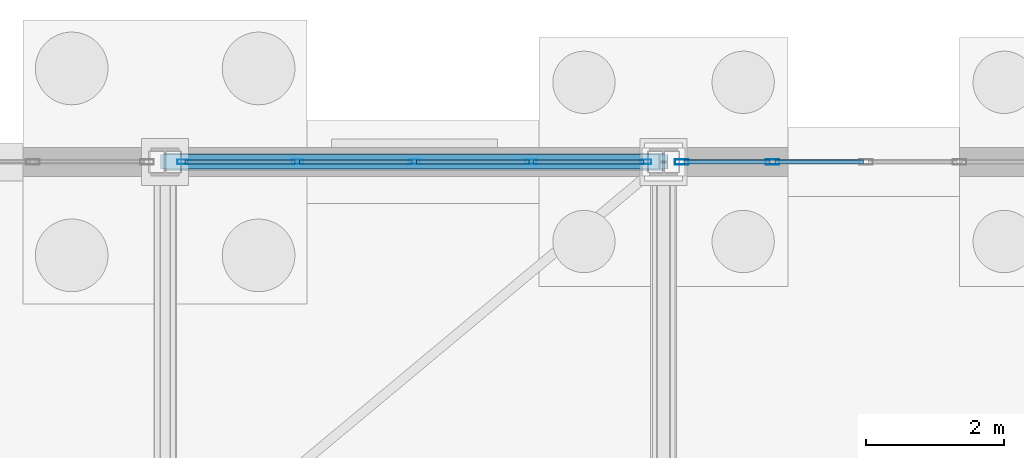
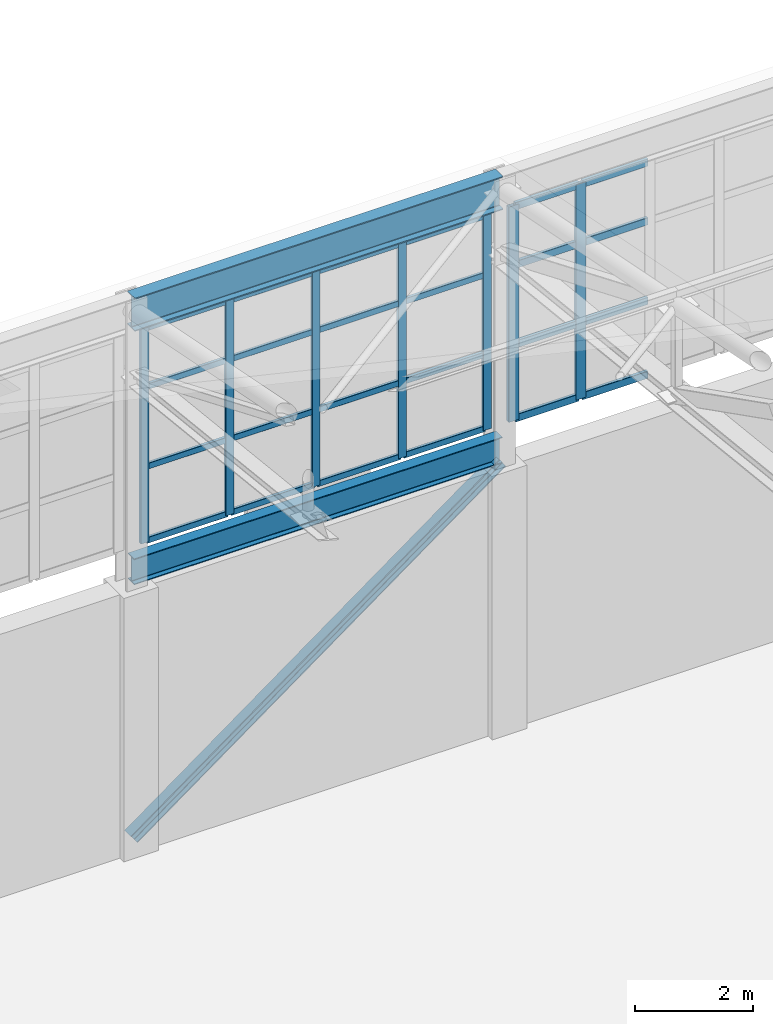
# One storey, part 216 of 293: 32 members, 2 beams, 2 elements without a shape of their own.
"""IFC4 building model written with IfcOpenShell, lengths in metres."""

from ifc_helpers import new_model, si_unit, direction, frame, origin, origin_2d, place, context, subcontext, project, spatial, hollow_rectangle, i_section, extrude, material, layer, layer_set, material_profile, profile_set, type_object, element, aggregate, save


model = new_model("IFC4")

# Units and contexts
model_context = context("Model", 3, precision=1e-05, world=origin(), true_north=direction((0.0, 1.0)))
body_context = subcontext(model_context, "Body", "Model", "MODEL_VIEW")
ifc_project = project(units=[si_unit("LENGTHUNIT", "METRE"), si_unit("AREAUNIT", "SQUARE_METRE"), si_unit("VOLUMEUNIT", "CUBIC_METRE"), si_unit("PLANEANGLEUNIT", "RADIAN"), si_unit("MASSUNIT", "GRAM", prefix="KILO")], contexts=[model_context])

# Site, building, storey
site_placement = place(None, origin())
site = spatial("IfcSite", under=ifc_project, at=site_placement, CompositionType="ELEMENT")
building_placement = place(site_placement, origin())
building = spatial("IfcBuilding", under=site, at=building_placement, Name="Kemerveld Promenade Tramway Depot", CompositionType="ELEMENT")
storey_placement = place(building_placement, origin())
storey = spatial("IfcBuildingStorey", under=building, at=storey_placement, Name="L00", CompositionType="ELEMENT", Elevation=0.0)

# Beams
ifc_material_1 = material(Name="Steel S355", Category="steel")
ifc_material_profile_1 = material_profile(ifc_material_1, i_section(OverallWidth=0.25439453125, OverallDepth=0.6875, WebThickness=0.01318359375, FlangeThickness=0.02099609375, FilletRadius=0.01513671875, at=origin_2d()), Name="686x254x152 UB")
ifc_profile_set_1 = profile_set([ifc_material_profile_1], Name="Steel S355")
beam_type_1 = type_object("IfcBeamType", Name="BM-G03", PredefinedType="BEAM", material=ifc_profile_set_1)
beam_1_placement = place(storey_placement, frame((108.0, 144.0, 11.056396484375), z_axis=(1.0, 0.0, 0.0), x_axis=(0.0, 1.0, 0.0)))
element("IfcBeam", 1, at=beam_1_placement, inside=storey, type_object=beam_type_1, Name="BM-SHED-EAVE-U-16", PredefinedType="BEAM", context=body_context, shape_type="SweptSolid", body=[
    extrude(i_section(OverallWidth=0.25439453125, OverallDepth=0.6875, WebThickness=0.01318359375, FlangeThickness=0.02099609375, FilletRadius=0.01513671875, at=origin_2d()), origin(), (0.0, 0.0, 1.0), 7.199951171875),
])
ifc_material_profile_2 = material_profile(ifc_material_1, i_section(OverallWidth=0.2099609375, OverallDepth=0.53662109375, WebThickness=0.0107421875, FlangeThickness=0.017333984375, FilletRadius=0.0126953125, at=origin_2d()), Name="533x210x101 UB")
ifc_profile_set_2 = profile_set([ifc_material_profile_2], Name="Steel S355")
beam_type_2 = type_object("IfcBeamType", Name="BM-G05", PredefinedType="BEAM", material=ifc_profile_set_2)
beam_2_placement = place(storey_placement, frame((108.0, 144.0, 5.731689453125), z_axis=(1.0, 0.0, 0.0), x_axis=(0.0, 1.0, 0.0)))
element("IfcBeam", 2, at=beam_2_placement, inside=storey, type_object=beam_type_2, Name="BM-SHED-MID-U-16", PredefinedType="BEAM", context=body_context, shape_type="SweptSolid", body=[
    extrude(i_section(OverallWidth=0.2099609375, OverallDepth=0.53662109375, WebThickness=0.0107421875, FlangeThickness=0.017333984375, FilletRadius=0.0126953125, at=origin_2d()), origin(), (0.0, 0.0, 1.0), 7.199951171875),
])

# Curtain wall, members
ifc_material_2 = material(Name="Bronze anodised aluminium and solar glass", Category="aluminium")
ifc_layer_1 = layer(ifc_material_2, 0.159912109375)
ifc_layer_set_1 = layer_set([ifc_layer_1], Name="CW-SYS-11")
curtain_wall_type_1 = type_object("IfcCurtainWallType", Name="CW-SYS-11", PredefinedType="USERDEFINED", material=ifc_layer_set_1)
curtain_wall_1_placement = place(storey_placement, origin())
curtain_wall_1 = element("IfcCurtainWall", 3, at=curtain_wall_1_placement, inside=storey, type_object=curtain_wall_type_1, Name="CW-V1-N-11", ObjectType="GLAZED_CURTAIN_WALL", PredefinedType="USERDEFINED")
ifc_material_3 = material(Name="Bronze anodised aluminium", Category="aluminium")
ifc_material_profile_3 = material_profile(ifc_material_3, hollow_rectangle(XDim=0.06494140625, YDim=0.159912109375, WallThickness=0.00390625, InnerFilletRadius=0.001953125, OuterFilletRadius=0.00390625, at=origin_2d()), Name="CW-MUL-160x65")
ifc_profile_set_3 = profile_set([ifc_material_profile_3], Name="Bronze anodised aluminium")
member_type_1 = type_object("IfcMemberType", Name="CW-MUL-A", PredefinedType="MULLION", material=ifc_profile_set_3)
member_1_placement = place(storey_placement, frame((108.255615234375, 144.0, 6.199951171875), z_axis=(0.0, 0.0, 1.0), x_axis=(0.0, 1.0, 0.0)))
member_1 = element("IfcMember", 4, at=member_1_placement, type_object=member_type_1, Name="CW11 mullion 1", PredefinedType="MULLION", context=body_context, shape_type="SweptSolid", body=[
    extrude(hollow_rectangle(XDim=0.06494140625, YDim=0.159912109375, WallThickness=0.00390625, InnerFilletRadius=0.001953125, OuterFilletRadius=0.00390625, at=origin_2d()), origin(), (0.0, 0.0, 1.0), 4.449951171875),
])
member_2_placement = place(storey_placement, frame((109.91162109375, 144.0, 6.199951171875), z_axis=(0.0, 0.0, 1.0), x_axis=(0.0, 1.0, 0.0)))
member_2 = element("IfcMember", 5, at=member_2_placement, type_object=member_type_1, Name="CW11 mullion 2", PredefinedType="MULLION", context=body_context, shape_type="SweptSolid", body=[
    extrude(hollow_rectangle(XDim=0.06494140625, YDim=0.159912109375, WallThickness=0.00390625, InnerFilletRadius=0.001953125, OuterFilletRadius=0.00390625, at=origin_2d()), origin(), (0.0, 0.0, 1.0), 4.449951171875),
])
member_3_placement = place(storey_placement, frame((111.60009765625, 144.0, 6.199951171875), z_axis=(0.0, 0.0, 1.0), x_axis=(0.0, 1.0, 0.0)))
member_3 = element("IfcMember", 6, at=member_3_placement, type_object=member_type_1, Name="CW11 mullion 3", PredefinedType="MULLION", context=body_context, shape_type="SweptSolid", body=[
    extrude(hollow_rectangle(XDim=0.06494140625, YDim=0.159912109375, WallThickness=0.00390625, InnerFilletRadius=0.001953125, OuterFilletRadius=0.00390625, at=origin_2d()), origin(), (0.0, 0.0, 1.0), 4.449951171875),
])
member_4_placement = place(storey_placement, frame((113.288330078125, 144.0, 6.199951171875), z_axis=(0.0, 0.0, 1.0), x_axis=(0.0, 1.0, 0.0)))
member_4 = element("IfcMember", 7, at=member_4_placement, type_object=member_type_1, Name="CW11 mullion 4", PredefinedType="MULLION", context=body_context, shape_type="SweptSolid", body=[
    extrude(hollow_rectangle(XDim=0.06494140625, YDim=0.159912109375, WallThickness=0.00390625, InnerFilletRadius=0.001953125, OuterFilletRadius=0.00390625, at=origin_2d()), origin(), (0.0, 0.0, 1.0), 4.449951171875),
])
member_5_placement = place(storey_placement, frame((114.9443359375, 144.0, 6.199951171875), z_axis=(0.0, 0.0, 1.0), x_axis=(0.0, 1.0, 0.0)))
member_5 = element("IfcMember", 8, at=member_5_placement, type_object=member_type_1, Name="CW11 mullion 5", PredefinedType="MULLION", context=body_context, shape_type="SweptSolid", body=[
    extrude(hollow_rectangle(XDim=0.06494140625, YDim=0.159912109375, WallThickness=0.00390625, InnerFilletRadius=0.001953125, OuterFilletRadius=0.00390625, at=origin_2d()), origin(), (0.0, 0.0, 1.0), 4.449951171875),
])

ifc_layer_2 = layer(ifc_material_2, 0.199951171875)
ifc_layer_set_2 = layer_set([ifc_layer_2], Name="CW-SYS-12")
curtain_wall_type_2 = type_object("IfcCurtainWallType", Name="CW-SYS-12", PredefinedType="USERDEFINED", material=ifc_layer_set_2)
curtain_wall_2_placement = place(storey_placement, origin())
curtain_wall_2 = element("IfcCurtainWall", 9, at=curtain_wall_2_placement, inside=storey, type_object=curtain_wall_type_2, Name="CW-V1-N-12", ObjectType="GLAZED_CURTAIN_WALL", PredefinedType="USERDEFINED")
ifc_material_profile_4 = material_profile(ifc_material_3, hollow_rectangle(XDim=0.074951171875, YDim=0.199951171875, WallThickness=0.0048828125, InnerFilletRadius=0.001953125, OuterFilletRadius=0.0048828125, at=origin_2d()), Name="CW-MUL-200x75")
ifc_profile_set_4 = profile_set([ifc_material_profile_4], Name="Bronze anodised aluminium")
member_type_2 = type_object("IfcMemberType", Name="CW-MUL-B", PredefinedType="MULLION", material=ifc_profile_set_4)
member_6_placement = place(storey_placement, frame((115.460693359375, 144.0, 6.199951171875), z_axis=(0.0, 0.0, 1.0), x_axis=(0.0, 1.0, 0.0)))
member_6 = element("IfcMember", 10, at=member_6_placement, type_object=member_type_2, Name="CW12 mullion 1", PredefinedType="MULLION", context=body_context, shape_type="SweptSolid", body=[
    extrude(hollow_rectangle(XDim=0.074951171875, YDim=0.199951171875, WallThickness=0.0048828125, InnerFilletRadius=0.001953125, OuterFilletRadius=0.0048828125, at=origin_2d()), origin(), (0.0, 0.0, 1.0), 4.449951171875),
])
member_7_placement = place(storey_placement, frame((116.77392578125, 144.0, 6.199951171875), z_axis=(0.0, 0.0, 1.0), x_axis=(0.0, 1.0, 0.0)))
member_7 = element("IfcMember", 11, at=member_7_placement, type_object=member_type_2, Name="CW12 mullion 2", PredefinedType="MULLION", context=body_context, shape_type="SweptSolid", body=[
    extrude(hollow_rectangle(XDim=0.074951171875, YDim=0.199951171875, WallThickness=0.0048828125, InnerFilletRadius=0.001953125, OuterFilletRadius=0.0048828125, at=origin_2d()), origin(), (0.0, 0.0, 1.0), 4.449951171875),
])

# Member
ifc_material_profile_5 = material_profile(ifc_material_3, hollow_rectangle(XDim=0.06005859375, YDim=0.1201171875, WallThickness=0.00390625, InnerFilletRadius=0.001953125, OuterFilletRadius=0.00390625, at=origin_2d()), Name="CW-TRN-120x60")
ifc_profile_set_5 = profile_set([ifc_material_profile_5], Name="Bronze anodised aluminium")
member_type_3 = type_object("IfcMemberType", Name="CW-TRN-A", PredefinedType="USERDEFINED", material=ifc_profile_set_5)
member_8_placement = place(storey_placement, frame((108.2880859375, 144.0, 6.22998046875), z_axis=(1.0, 0.0, 0.0), x_axis=(0.0, 1.0, 0.0)))
member_8 = element("IfcMember", 12, at=member_8_placement, type_object=member_type_3, Name="CW11 transom 1.1", ObjectType="TRANSOM", PredefinedType="USERDEFINED", context=body_context, shape_type="SweptSolid", body=[
    extrude(hollow_rectangle(XDim=0.06005859375, YDim=0.1201171875, WallThickness=0.00390625, InnerFilletRadius=0.001953125, OuterFilletRadius=0.00390625, at=origin_2d()), origin(), (0.0, 0.0, 1.0), 1.591064453125),
])

member_9_placement = place(storey_placement, frame((108.2880859375, 144.0, 7.758056640625), z_axis=(1.0, 0.0, 0.0), x_axis=(0.0, 1.0, 0.0)))
member_9 = element("IfcMember", 13, at=member_9_placement, type_object=member_type_3, Name="CW11 transom 1.2", ObjectType="TRANSOM", PredefinedType="USERDEFINED", context=body_context, shape_type="SweptSolid", body=[
    extrude(hollow_rectangle(XDim=0.06005859375, YDim=0.1201171875, WallThickness=0.00390625, InnerFilletRadius=0.001953125, OuterFilletRadius=0.00390625, at=origin_2d()), origin(), (0.0, 0.0, 1.0), 1.591064453125),
])

member_10_placement = place(storey_placement, frame((108.2880859375, 144.0, 9.404052734375), z_axis=(1.0, 0.0, 0.0), x_axis=(0.0, 1.0, 0.0)))
member_10 = element("IfcMember", 14, at=member_10_placement, type_object=member_type_3, Name="CW11 transom 1.3", ObjectType="TRANSOM", PredefinedType="USERDEFINED", context=body_context, shape_type="SweptSolid", body=[
    extrude(hollow_rectangle(XDim=0.06005859375, YDim=0.1201171875, WallThickness=0.00390625, InnerFilletRadius=0.001953125, OuterFilletRadius=0.00390625, at=origin_2d()), origin(), (0.0, 0.0, 1.0), 1.591064453125),
])

member_11_placement = place(storey_placement, frame((108.2880859375, 144.0, 10.6201171875), z_axis=(1.0, 0.0, 0.0), x_axis=(0.0, 1.0, 0.0)))
member_11 = element("IfcMember", 15, at=member_11_placement, type_object=member_type_3, Name="CW11 transom 1.4", ObjectType="TRANSOM", PredefinedType="USERDEFINED", context=body_context, shape_type="SweptSolid", body=[
    extrude(hollow_rectangle(XDim=0.06005859375, YDim=0.1201171875, WallThickness=0.00390625, InnerFilletRadius=0.001953125, OuterFilletRadius=0.00390625, at=origin_2d()), origin(), (0.0, 0.0, 1.0), 1.591064453125),
])

member_12_placement = place(storey_placement, frame((109.944091796875, 144.0, 6.22998046875), z_axis=(1.0, 0.0, 0.0), x_axis=(0.0, 1.0, 0.0)))
member_12 = element("IfcMember", 16, at=member_12_placement, type_object=member_type_3, Name="CW11 transom 2.1", ObjectType="TRANSOM", PredefinedType="USERDEFINED", context=body_context, shape_type="SweptSolid", body=[
    extrude(hollow_rectangle(XDim=0.06005859375, YDim=0.1201171875, WallThickness=0.00390625, InnerFilletRadius=0.001953125, OuterFilletRadius=0.00390625, at=origin_2d()), origin(), (0.0, 0.0, 1.0), 1.623291015625),
])

member_13_placement = place(storey_placement, frame((109.944091796875, 144.0, 7.758056640625), z_axis=(1.0, 0.0, 0.0), x_axis=(0.0, 1.0, 0.0)))
member_13 = element("IfcMember", 17, at=member_13_placement, type_object=member_type_3, Name="CW11 transom 2.2", ObjectType="TRANSOM", PredefinedType="USERDEFINED", context=body_context, shape_type="SweptSolid", body=[
    extrude(hollow_rectangle(XDim=0.06005859375, YDim=0.1201171875, WallThickness=0.00390625, InnerFilletRadius=0.001953125, OuterFilletRadius=0.00390625, at=origin_2d()), origin(), (0.0, 0.0, 1.0), 1.623291015625),
])

member_14_placement = place(storey_placement, frame((109.944091796875, 144.0, 9.404052734375), z_axis=(1.0, 0.0, 0.0), x_axis=(0.0, 1.0, 0.0)))
member_14 = element("IfcMember", 18, at=member_14_placement, type_object=member_type_3, Name="CW11 transom 2.3", ObjectType="TRANSOM", PredefinedType="USERDEFINED", context=body_context, shape_type="SweptSolid", body=[
    extrude(hollow_rectangle(XDim=0.06005859375, YDim=0.1201171875, WallThickness=0.00390625, InnerFilletRadius=0.001953125, OuterFilletRadius=0.00390625, at=origin_2d()), origin(), (0.0, 0.0, 1.0), 1.623291015625),
])

member_15_placement = place(storey_placement, frame((109.944091796875, 144.0, 10.6201171875), z_axis=(1.0, 0.0, 0.0), x_axis=(0.0, 1.0, 0.0)))
member_15 = element("IfcMember", 19, at=member_15_placement, type_object=member_type_3, Name="CW11 transom 2.4", ObjectType="TRANSOM", PredefinedType="USERDEFINED", context=body_context, shape_type="SweptSolid", body=[
    extrude(hollow_rectangle(XDim=0.06005859375, YDim=0.1201171875, WallThickness=0.00390625, InnerFilletRadius=0.001953125, OuterFilletRadius=0.00390625, at=origin_2d()), origin(), (0.0, 0.0, 1.0), 1.623291015625),
])

member_16_placement = place(storey_placement, frame((111.632568359375, 144.0, 6.22998046875), z_axis=(1.0, 0.0, 0.0), x_axis=(0.0, 1.0, 0.0)))
member_16 = element("IfcMember", 20, at=member_16_placement, type_object=member_type_3, Name="CW11 transom 3.1", ObjectType="TRANSOM", PredefinedType="USERDEFINED", context=body_context, shape_type="SweptSolid", body=[
    extrude(hollow_rectangle(XDim=0.06005859375, YDim=0.1201171875, WallThickness=0.00390625, InnerFilletRadius=0.001953125, OuterFilletRadius=0.00390625, at=origin_2d()), origin(), (0.0, 0.0, 1.0), 1.623291015625),
])

member_17_placement = place(storey_placement, frame((111.632568359375, 144.0, 7.758056640625), z_axis=(1.0, 0.0, 0.0), x_axis=(0.0, 1.0, 0.0)))
member_17 = element("IfcMember", 21, at=member_17_placement, type_object=member_type_3, Name="CW11 transom 3.2", ObjectType="TRANSOM", PredefinedType="USERDEFINED", context=body_context, shape_type="SweptSolid", body=[
    extrude(hollow_rectangle(XDim=0.06005859375, YDim=0.1201171875, WallThickness=0.00390625, InnerFilletRadius=0.001953125, OuterFilletRadius=0.00390625, at=origin_2d()), origin(), (0.0, 0.0, 1.0), 1.623291015625),
])

member_18_placement = place(storey_placement, frame((111.632568359375, 144.0, 9.404052734375), z_axis=(1.0, 0.0, 0.0), x_axis=(0.0, 1.0, 0.0)))
member_18 = element("IfcMember", 22, at=member_18_placement, type_object=member_type_3, Name="CW11 transom 3.3", ObjectType="TRANSOM", PredefinedType="USERDEFINED", context=body_context, shape_type="SweptSolid", body=[
    extrude(hollow_rectangle(XDim=0.06005859375, YDim=0.1201171875, WallThickness=0.00390625, InnerFilletRadius=0.001953125, OuterFilletRadius=0.00390625, at=origin_2d()), origin(), (0.0, 0.0, 1.0), 1.623291015625),
])

member_19_placement = place(storey_placement, frame((111.632568359375, 144.0, 10.6201171875), z_axis=(1.0, 0.0, 0.0), x_axis=(0.0, 1.0, 0.0)))
member_19 = element("IfcMember", 23, at=member_19_placement, type_object=member_type_3, Name="CW11 transom 3.4", ObjectType="TRANSOM", PredefinedType="USERDEFINED", context=body_context, shape_type="SweptSolid", body=[
    extrude(hollow_rectangle(XDim=0.06005859375, YDim=0.1201171875, WallThickness=0.00390625, InnerFilletRadius=0.001953125, OuterFilletRadius=0.00390625, at=origin_2d()), origin(), (0.0, 0.0, 1.0), 1.623291015625),
])

member_20_placement = place(storey_placement, frame((113.32080078125, 144.0, 6.22998046875), z_axis=(1.0, 0.0, 0.0), x_axis=(0.0, 1.0, 0.0)))
member_20 = element("IfcMember", 24, at=member_20_placement, type_object=member_type_3, Name="CW11 transom 4.1", ObjectType="TRANSOM", PredefinedType="USERDEFINED", context=body_context, shape_type="SweptSolid", body=[
    extrude(hollow_rectangle(XDim=0.06005859375, YDim=0.1201171875, WallThickness=0.00390625, InnerFilletRadius=0.001953125, OuterFilletRadius=0.00390625, at=origin_2d()), origin(), (0.0, 0.0, 1.0), 1.591064453125),
])

member_21_placement = place(storey_placement, frame((113.32080078125, 144.0, 7.758056640625), z_axis=(1.0, 0.0, 0.0), x_axis=(0.0, 1.0, 0.0)))
member_21 = element("IfcMember", 25, at=member_21_placement, type_object=member_type_3, Name="CW11 transom 4.2", ObjectType="TRANSOM", PredefinedType="USERDEFINED", context=body_context, shape_type="SweptSolid", body=[
    extrude(hollow_rectangle(XDim=0.06005859375, YDim=0.1201171875, WallThickness=0.00390625, InnerFilletRadius=0.001953125, OuterFilletRadius=0.00390625, at=origin_2d()), origin(), (0.0, 0.0, 1.0), 1.591064453125),
])

member_22_placement = place(storey_placement, frame((113.32080078125, 144.0, 9.404052734375), z_axis=(1.0, 0.0, 0.0), x_axis=(0.0, 1.0, 0.0)))
member_22 = element("IfcMember", 26, at=member_22_placement, type_object=member_type_3, Name="CW11 transom 4.3", ObjectType="TRANSOM", PredefinedType="USERDEFINED", context=body_context, shape_type="SweptSolid", body=[
    extrude(hollow_rectangle(XDim=0.06005859375, YDim=0.1201171875, WallThickness=0.00390625, InnerFilletRadius=0.001953125, OuterFilletRadius=0.00390625, at=origin_2d()), origin(), (0.0, 0.0, 1.0), 1.591064453125),
])

member_23_placement = place(storey_placement, frame((113.32080078125, 144.0, 10.6201171875), z_axis=(1.0, 0.0, 0.0), x_axis=(0.0, 1.0, 0.0)))
member_23 = element("IfcMember", 27, at=member_23_placement, type_object=member_type_3, Name="CW11 transom 4.4", ObjectType="TRANSOM", PredefinedType="USERDEFINED", context=body_context, shape_type="SweptSolid", body=[
    extrude(hollow_rectangle(XDim=0.06005859375, YDim=0.1201171875, WallThickness=0.00390625, InnerFilletRadius=0.001953125, OuterFilletRadius=0.00390625, at=origin_2d()), origin(), (0.0, 0.0, 1.0), 1.591064453125),
])

aggregate(curtain_wall_1, [member_1, member_2, member_3, member_4, member_5, member_8, member_9, member_10, member_11, member_12, member_13, member_14, member_15, member_16, member_17, member_18, member_19, member_20, member_21, member_22, member_23])

ifc_material_profile_6 = material_profile(ifc_material_3, hollow_rectangle(XDim=0.06494140625, YDim=0.14990234375, WallThickness=0.00439453125, InnerFilletRadius=0.001953125, OuterFilletRadius=0.00439453125, at=origin_2d()), Name="CW-TRN-150x65")
ifc_profile_set_6 = profile_set([ifc_material_profile_6], Name="Bronze anodised aluminium")
member_type_4 = type_object("IfcMemberType", Name="CW-TRN-B", PredefinedType="USERDEFINED", material=ifc_profile_set_6)
member_24_placement = place(storey_placement, frame((115.498291015625, 144.0, 6.232421875), z_axis=(1.0, 0.0, 0.0), x_axis=(0.0, 1.0, 0.0)))
member_24 = element("IfcMember", 28, at=member_24_placement, type_object=member_type_4, Name="CW12 transom 1.1", ObjectType="TRANSOM", PredefinedType="USERDEFINED", context=body_context, shape_type="SweptSolid", body=[
    extrude(hollow_rectangle(XDim=0.06494140625, YDim=0.14990234375, WallThickness=0.00439453125, InnerFilletRadius=0.001953125, OuterFilletRadius=0.00439453125, at=origin_2d()), origin(), (0.0, 0.0, 1.0), 1.238037109375),
])

member_25_placement = place(storey_placement, frame((115.498291015625, 144.0, 7.758056640625), z_axis=(1.0, 0.0, 0.0), x_axis=(0.0, 1.0, 0.0)))
member_25 = element("IfcMember", 29, at=member_25_placement, type_object=member_type_4, Name="CW12 transom 1.2", ObjectType="TRANSOM", PredefinedType="USERDEFINED", context=body_context, shape_type="SweptSolid", body=[
    extrude(hollow_rectangle(XDim=0.06494140625, YDim=0.14990234375, WallThickness=0.00439453125, InnerFilletRadius=0.001953125, OuterFilletRadius=0.00439453125, at=origin_2d()), origin(), (0.0, 0.0, 1.0), 1.238037109375),
])

member_26_placement = place(storey_placement, frame((115.498291015625, 144.0, 9.404052734375), z_axis=(1.0, 0.0, 0.0), x_axis=(0.0, 1.0, 0.0)))
member_26 = element("IfcMember", 30, at=member_26_placement, type_object=member_type_4, Name="CW12 transom 1.3", ObjectType="TRANSOM", PredefinedType="USERDEFINED", context=body_context, shape_type="SweptSolid", body=[
    extrude(hollow_rectangle(XDim=0.06494140625, YDim=0.14990234375, WallThickness=0.00439453125, InnerFilletRadius=0.001953125, OuterFilletRadius=0.00439453125, at=origin_2d()), origin(), (0.0, 0.0, 1.0), 1.238037109375),
])

member_27_placement = place(storey_placement, frame((115.498291015625, 144.0, 10.617431640625), z_axis=(1.0, 0.0, 0.0), x_axis=(0.0, 1.0, 0.0)))
member_27 = element("IfcMember", 31, at=member_27_placement, type_object=member_type_4, Name="CW12 transom 1.4", ObjectType="TRANSOM", PredefinedType="USERDEFINED", context=body_context, shape_type="SweptSolid", body=[
    extrude(hollow_rectangle(XDim=0.06494140625, YDim=0.14990234375, WallThickness=0.00439453125, InnerFilletRadius=0.001953125, OuterFilletRadius=0.00439453125, at=origin_2d()), origin(), (0.0, 0.0, 1.0), 1.238037109375),
])

member_28_placement = place(storey_placement, frame((116.8115234375, 144.0, 6.232421875), z_axis=(1.0, 0.0, 0.0), x_axis=(0.0, 1.0, 0.0)))
member_28 = element("IfcMember", 32, at=member_28_placement, type_object=member_type_4, Name="CW12 transom 2.1", ObjectType="TRANSOM", PredefinedType="USERDEFINED", context=body_context, shape_type="SweptSolid", body=[
    extrude(hollow_rectangle(XDim=0.06494140625, YDim=0.14990234375, WallThickness=0.00439453125, InnerFilletRadius=0.001953125, OuterFilletRadius=0.00439453125, at=origin_2d()), origin(), (0.0, 0.0, 1.0), 1.275634765625),
])

member_29_placement = place(storey_placement, frame((116.8115234375, 144.0, 7.758056640625), z_axis=(1.0, 0.0, 0.0), x_axis=(0.0, 1.0, 0.0)))
member_29 = element("IfcMember", 33, at=member_29_placement, type_object=member_type_4, Name="CW12 transom 2.2", ObjectType="TRANSOM", PredefinedType="USERDEFINED", context=body_context, shape_type="SweptSolid", body=[
    extrude(hollow_rectangle(XDim=0.06494140625, YDim=0.14990234375, WallThickness=0.00439453125, InnerFilletRadius=0.001953125, OuterFilletRadius=0.00439453125, at=origin_2d()), origin(), (0.0, 0.0, 1.0), 1.275634765625),
])

member_30_placement = place(storey_placement, frame((116.8115234375, 144.0, 9.404052734375), z_axis=(1.0, 0.0, 0.0), x_axis=(0.0, 1.0, 0.0)))
member_30 = element("IfcMember", 34, at=member_30_placement, type_object=member_type_4, Name="CW12 transom 2.3", ObjectType="TRANSOM", PredefinedType="USERDEFINED", context=body_context, shape_type="SweptSolid", body=[
    extrude(hollow_rectangle(XDim=0.06494140625, YDim=0.14990234375, WallThickness=0.00439453125, InnerFilletRadius=0.001953125, OuterFilletRadius=0.00439453125, at=origin_2d()), origin(), (0.0, 0.0, 1.0), 1.275634765625),
])

member_31_placement = place(storey_placement, frame((116.8115234375, 144.0, 10.617431640625), z_axis=(1.0, 0.0, 0.0), x_axis=(0.0, 1.0, 0.0)))
member_31 = element("IfcMember", 35, at=member_31_placement, type_object=member_type_4, Name="CW12 transom 2.4", ObjectType="TRANSOM", PredefinedType="USERDEFINED", context=body_context, shape_type="SweptSolid", body=[
    extrude(hollow_rectangle(XDim=0.06494140625, YDim=0.14990234375, WallThickness=0.00439453125, InnerFilletRadius=0.001953125, OuterFilletRadius=0.00439453125, at=origin_2d()), origin(), (0.0, 0.0, 1.0), 1.275634765625),
])

aggregate(curtain_wall_2, [member_6, member_7, member_24, member_25, member_26, member_27, member_28, member_29, member_30, member_31])

ifc_material_profile_7 = material_profile(ifc_material_1, i_section(OverallWidth=0.208984375, OverallDepth=0.22216796875, WebThickness=0.0126953125, FlangeThickness=0.0205078125, FilletRadius=0.01025390625, at=origin_2d()), Name="203x203x86 UC")
ifc_profile_set_7 = profile_set([ifc_material_profile_7], Name="Steel S355")
member_type_5 = type_object("IfcMemberType", Name="MB-TB5", PredefinedType="BRACE", material=ifc_profile_set_7)
member_32_placement = place(storey_placement, frame((108.0, 144.0, 0.199951171875), z_axis=(0.807288292304, 0.0, 0.590157278281), x_axis=(0.0, 1.0, 0.0)))
element("IfcMember", 36, at=member_32_placement, inside=storey, type_object=member_type_5, Name="BR-SHED-WALL-U-16-A", PredefinedType="BRACE", context=body_context, shape_type="SweptSolid", body=[
    extrude(i_section(OverallWidth=0.208984375, OverallDepth=0.22216796875, WebThickness=0.0126953125, FlangeThickness=0.0205078125, FilletRadius=0.01025390625, at=origin_2d()), origin(), (0.0, 0.0, 1.0), 8.918701171875),
])

save(model, "model.ifc")
